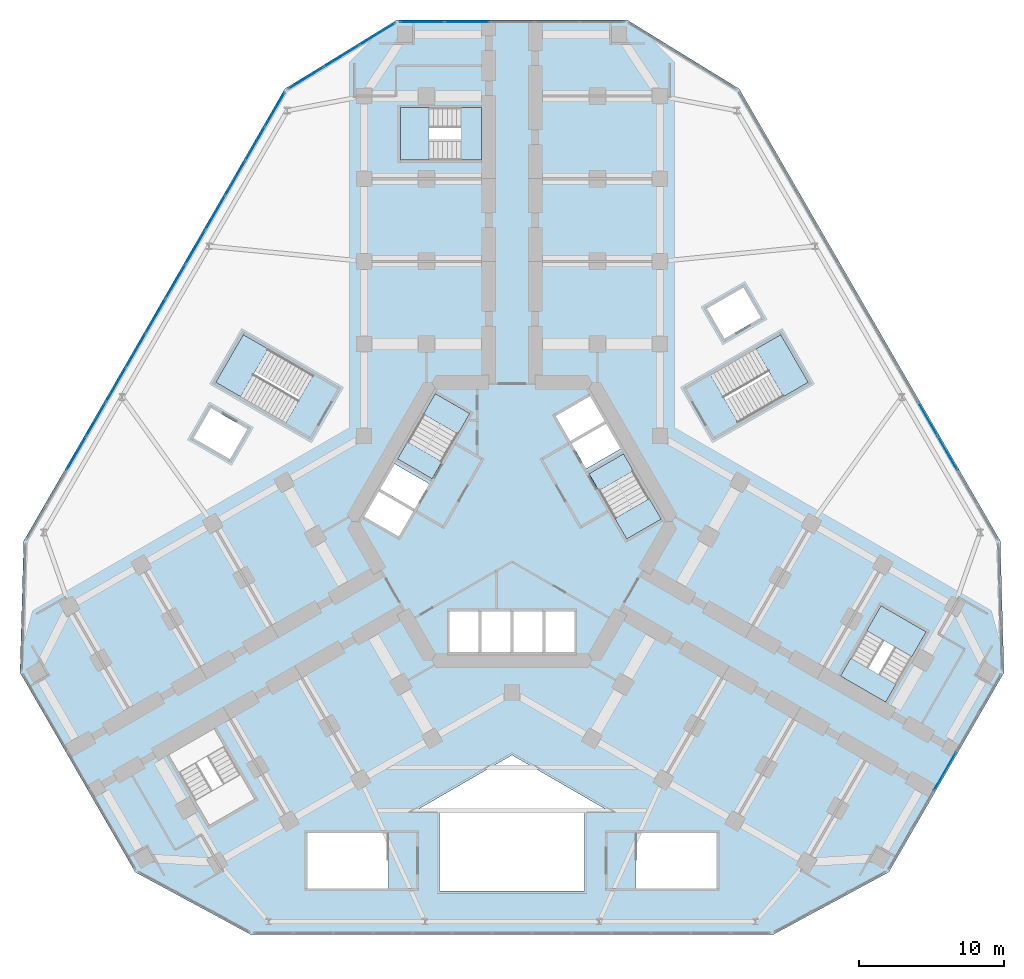
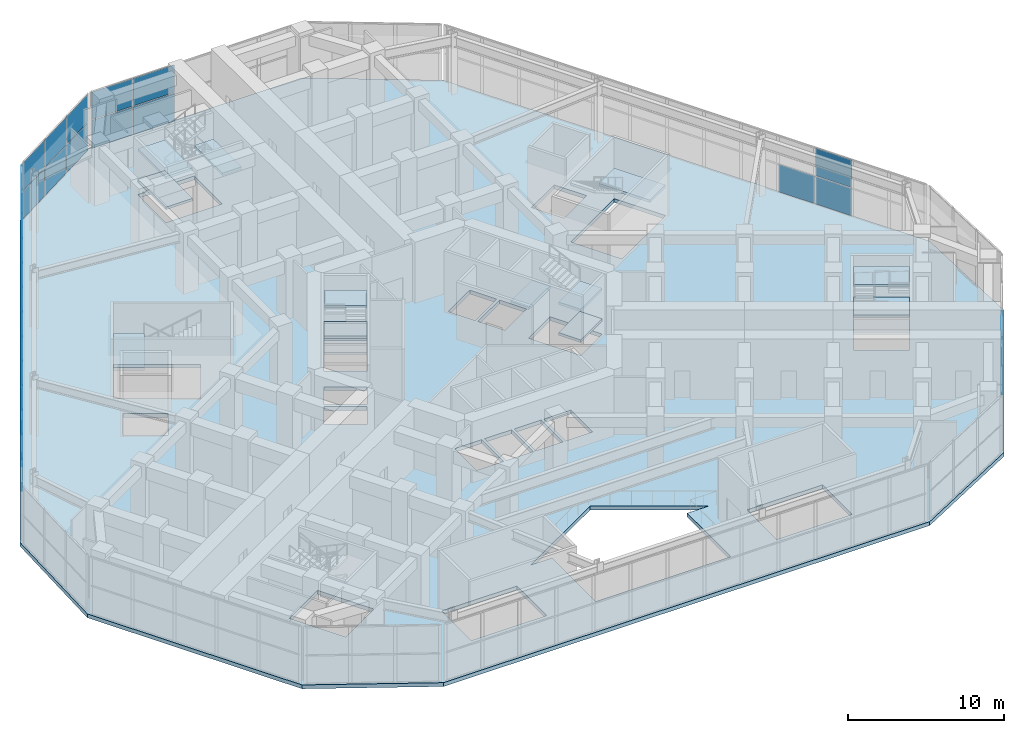
# One storey, part 13 of 22: 37 plates, 15 slabs, 11 elements without a shape of their own.
"""IFC4 building model written with IfcOpenShell, lengths in metres."""

from ifc_helpers import new_model, si_unit, direction, frame, origin, origin_2d, place, context, subcontext, project, spatial, polyline, rectangle, outline, extrude, material, layer, layer_set, type_object, element, aggregate, save


model = new_model("IFC4")

# Units and contexts
model_context = context("Model", 3, precision=1e-05, world=origin(), true_north=direction((0.0, 1.0)))
body_context = subcontext(model_context, "Body", "Model", "MODEL_VIEW")
ifc_project = project(units=[si_unit("LENGTHUNIT", "METRE"), si_unit("AREAUNIT", "SQUARE_METRE"), si_unit("VOLUMEUNIT", "CUBIC_METRE"), si_unit("PLANEANGLEUNIT", "RADIAN"), si_unit("MASSUNIT", "GRAM", prefix="KILO")], contexts=[model_context])

# Site, building, storey
site_placement = place(None, origin())
site = spatial("IfcSite", under=ifc_project, at=site_placement, CompositionType="ELEMENT")
building_placement = place(site_placement, origin())
building = spatial("IfcBuilding", under=site, at=building_placement, Name="Kosmar Iwan School Tower", CompositionType="ELEMENT")
storey_placement = place(building_placement, frame((0.0, 0.0, 15.60009765625)))
storey = spatial("IfcBuildingStorey", under=building, at=storey_placement, Name="L03", CompositionType="ELEMENT", Elevation=15.60009765625)

# Curtain wall, plates
ifc_material_1 = material(Name="Dark glass in black aluminium frame", Category="aluminium")
curtain_wall_type_1 = type_object("IfcCurtainWallType", Name="Tower curtain wall dark glass", PredefinedType="USERDEFINED", material=ifc_material_1)
curtain_wall_1_placement = place(storey_placement, origin())
curtain_wall_1 = element("IfcCurtainWall", 1, at=curtain_wall_1_placement, inside=storey, type_object=curtain_wall_type_1, Name="Curtain wall L03-F02", ObjectType="UNITISED CURTAIN WALL", PredefinedType="USERDEFINED")
ifc_material_2 = material(Name="Dark glass", Category="glass")
ifc_layer_1 = layer(ifc_material_2, 0.028076171875)
ifc_layer_set_1 = layer_set([ifc_layer_1], Name="Dark glass panel 28")
plate_type = type_object("IfcPlateType", Name="Dark glass panel 28", PredefinedType="CURTAIN_PANEL", material=ifc_layer_set_1)
plate_1_placement = place(storey_placement, frame((29.856201171875, -17.237548828125, 0.06005859375), z_axis=(0.0, 0.0, 1.0), x_axis=(0.500000014057, 0.866025395669, 0.0)))
plate_1 = element("IfcPlate", 2, at=plate_1_placement, type_object=plate_type, Name="CW1 panel 3.1", PredefinedType="CURTAIN_PANEL", context=body_context, shape_type="SweptSolid", body=[
    extrude(rectangle(XDim=3.040771484375, YDim=0.028076171875, at=origin_2d()), origin(), (0.0, 0.0, 1.0), 2.159912109375),
])
plate_2_placement = place(storey_placement, frame((29.856201171875, -17.237548828125, 2.27978515625), z_axis=(0.0, 0.0, 1.0), x_axis=(0.500000014057, 0.866025395669, 0.0)))
plate_2 = element("IfcPlate", 3, at=plate_2_placement, type_object=plate_type, Name="CW1 panel 3.2", PredefinedType="CURTAIN_PANEL", context=body_context, shape_type="SweptSolid", body=[
    extrude(rectangle(XDim=3.040771484375, YDim=0.028076171875, at=origin_2d()), origin(), (0.0, 0.0, 1.0), 2.159912109375),
])
aggregate(curtain_wall_1, [plate_1, plate_2])

ifc_material_3 = material(Name="Dark glass in black aluminium frame", Category="aluminium")
curtain_wall_type_2 = type_object("IfcCurtainWallType", Name="Podium curtain wall", PredefinedType="USERDEFINED", material=ifc_material_3)
curtain_wall_2_placement = place(storey_placement, origin())
curtain_wall_2 = element("IfcCurtainWall", 4, at=curtain_wall_2_placement, inside=storey, type_object=curtain_wall_type_2, Name="Curtain wall L03-F04", ObjectType="STICK CURTAIN WALL", PredefinedType="USERDEFINED")
plate_3_placement = place(storey_placement, frame((30.05615234375, 4.69140625, 0.06005859375), z_axis=(0.0, 0.0, 1.0), x_axis=(-0.50000002237, 0.866025390869, 0.0)))
plate_3 = element("IfcPlate", 5, at=plate_3_placement, type_object=plate_type, Name="CW3 panel 3.1", PredefinedType="CURTAIN_PANEL", context=body_context, shape_type="SweptSolid", body=[
    extrude(rectangle(XDim=2.67626953125, YDim=0.028076171875, at=origin_2d()), origin(), (0.0, 0.0, 1.0), 2.159912109375),
])
plate_4_placement = place(storey_placement, frame((30.05615234375, 4.69140625, 2.27978515625), z_axis=(0.0, 0.0, 1.0), x_axis=(-0.50000002237, 0.866025390869, 0.0)))
plate_4 = element("IfcPlate", 6, at=plate_4_placement, type_object=plate_type, Name="CW3 panel 3.2", PredefinedType="CURTAIN_PANEL", context=body_context, shape_type="SweptSolid", body=[
    extrude(rectangle(XDim=2.67626953125, YDim=0.028076171875, at=origin_2d()), origin(), (0.0, 0.0, 1.0), 2.159912109375),
])
plate_5_placement = place(storey_placement, frame((28.685302734375, 7.0654296875, 0.06005859375), z_axis=(0.0, 0.0, 1.0), x_axis=(-0.50000002237, 0.866025390869, 0.0)))
plate_5 = element("IfcPlate", 7, at=plate_5_placement, type_object=plate_type, Name="CW3 panel 4.1", PredefinedType="CURTAIN_PANEL", context=body_context, shape_type="SweptSolid", body=[
    extrude(rectangle(XDim=2.67626953125, YDim=0.028076171875, at=origin_2d()), origin(), (0.0, 0.0, 1.0), 2.159912109375),
])
aggregate(curtain_wall_2, [plate_3, plate_4, plate_5])

curtain_wall_3_placement = place(storey_placement, origin())
curtain_wall_3 = element("IfcCurtainWall", 8, at=curtain_wall_3_placement, inside=storey, type_object=curtain_wall_type_1, Name="Curtain wall L03-F06", ObjectType="UNITISED CURTAIN WALL", PredefinedType="USERDEFINED")
plate_6_placement = place(storey_placement, frame((-3.10595703125, 34.47509765625, 0.06005859375), z_axis=(0.0, 0.0, 1.0), x_axis=(-1.0, 0.0, 0.0)))
plate_6 = element("IfcPlate", 9, at=plate_6_placement, type_object=plate_type, Name="CW1 panel 4.1", PredefinedType="CURTAIN_PANEL", context=body_context, shape_type="SweptSolid", body=[
    extrude(rectangle(XDim=3.040771484375, YDim=0.028076171875, at=origin_2d()), origin(), (0.0, 0.0, 1.0), 2.159912109375),
])
plate_7_placement = place(storey_placement, frame((-3.10595703125, 34.47509765625, 2.27978515625), z_axis=(0.0, 0.0, 1.0), x_axis=(-1.0, 0.0, 0.0)))
plate_7 = element("IfcPlate", 10, at=plate_7_placement, type_object=plate_type, Name="CW1 panel 4.2", PredefinedType="CURTAIN_PANEL", context=body_context, shape_type="SweptSolid", body=[
    extrude(rectangle(XDim=3.040771484375, YDim=0.028076171875, at=origin_2d()), origin(), (0.0, 0.0, 1.0), 2.159912109375),
])
plate_8_placement = place(storey_placement, frame((-6.1953125, 34.47509765625, 0.06005859375), z_axis=(0.0, 0.0, 1.0), x_axis=(-1.0, 0.0, 0.0)))
plate_8 = element("IfcPlate", 11, at=plate_8_placement, type_object=plate_type, Name="CW1 panel 5.1", PredefinedType="CURTAIN_PANEL", context=body_context, shape_type="SweptSolid", body=[
    extrude(rectangle(XDim=3.00830078125, YDim=0.028076171875, at=origin_2d()), origin(), (0.0, 0.0, 1.0), 2.159912109375),
])
plate_9_placement = place(storey_placement, frame((-6.1953125, 34.47509765625, 2.27978515625), z_axis=(0.0, 0.0, 1.0), x_axis=(-1.0, 0.0, 0.0)))
plate_9 = element("IfcPlate", 12, at=plate_9_placement, type_object=plate_type, Name="CW1 panel 5.2", PredefinedType="CURTAIN_PANEL", context=body_context, shape_type="SweptSolid", body=[
    extrude(rectangle(XDim=3.00830078125, YDim=0.028076171875, at=origin_2d()), origin(), (0.0, 0.0, 1.0), 2.159912109375),
])
aggregate(curtain_wall_3, [plate_6, plate_7, plate_8, plate_9])

curtain_wall_4_placement = place(storey_placement, origin())
curtain_wall_4 = element("IfcCurtainWall", 13, at=curtain_wall_4_placement, inside=storey, type_object=curtain_wall_type_2, Name="Curtain wall L03-F07", ObjectType="STICK CURTAIN WALL", PredefinedType="USERDEFINED")
plate_10_placement = place(storey_placement, frame((-9.292724609375, 33.626220703125, 0.06005859375), z_axis=(0.0, 0.0, 1.0), x_axis=(-0.851483299186, -0.524381722801, 0.0)))
plate_10 = element("IfcPlate", 14, at=plate_10_placement, type_object=plate_type, Name="CW3 panel 1.1", PredefinedType="CURTAIN_PANEL", context=body_context, shape_type="SweptSolid", body=[
    extrude(rectangle(XDim=2.806884765625, YDim=0.028076171875, at=origin_2d()), origin(), (0.0, 0.0, 1.0), 2.159912109375),
])
plate_11_placement = place(storey_placement, frame((-9.292724609375, 33.626220703125, 2.27978515625), z_axis=(0.0, 0.0, 1.0), x_axis=(-0.851483299186, -0.524381722801, 0.0)))
plate_11 = element("IfcPlate", 15, at=plate_11_placement, type_object=plate_type, Name="CW3 panel 1.2", PredefinedType="CURTAIN_PANEL", context=body_context, shape_type="SweptSolid", body=[
    extrude(rectangle(XDim=2.806884765625, YDim=0.028076171875, at=origin_2d()), origin(), (0.0, 0.0, 1.0), 2.159912109375),
])
plate_12_placement = place(storey_placement, frame((-11.751953125, 32.11181640625, 0.06005859375), z_axis=(0.0, 0.0, 1.0), x_axis=(-0.851483299186, -0.524381722801, 0.0)))
plate_12 = element("IfcPlate", 16, at=plate_12_placement, type_object=plate_type, Name="CW3 panel 2.1", PredefinedType="CURTAIN_PANEL", context=body_context, shape_type="SweptSolid", body=[
    extrude(rectangle(XDim=2.83935546875, YDim=0.028076171875, at=origin_2d()), origin(), (0.0, 0.0, 1.0), 2.159912109375),
])
plate_13_placement = place(storey_placement, frame((-11.751953125, 32.11181640625, 2.27978515625), z_axis=(0.0, 0.0, 1.0), x_axis=(-0.851483299186, -0.524381722801, 0.0)))
plate_13 = element("IfcPlate", 17, at=plate_13_placement, type_object=plate_type, Name="CW3 panel 2.2", PredefinedType="CURTAIN_PANEL", context=body_context, shape_type="SweptSolid", body=[
    extrude(rectangle(XDim=2.83935546875, YDim=0.028076171875, at=origin_2d()), origin(), (0.0, 0.0, 1.0), 2.159912109375),
])
plate_14_placement = place(storey_placement, frame((-14.211181640625, 30.59716796875, 0.06005859375), z_axis=(0.0, 0.0, 1.0), x_axis=(-0.851483299186, -0.524381722801, 0.0)))
plate_14 = element("IfcPlate", 18, at=plate_14_placement, type_object=plate_type, Name="CW3 panel 3.1", PredefinedType="CURTAIN_PANEL", context=body_context, shape_type="SweptSolid", body=[
    extrude(rectangle(XDim=2.806884765625, YDim=0.028076171875, at=origin_2d()), origin(), (0.0, 0.0, 1.0), 2.159912109375),
])
plate_15_placement = place(storey_placement, frame((-14.211181640625, 30.59716796875, 2.27978515625), z_axis=(0.0, 0.0, 1.0), x_axis=(-0.851483299186, -0.524381722801, 0.0)))
plate_15 = element("IfcPlate", 19, at=plate_15_placement, type_object=plate_type, Name="CW3 panel 3.2", PredefinedType="CURTAIN_PANEL", context=body_context, shape_type="SweptSolid", body=[
    extrude(rectangle(XDim=2.806884765625, YDim=0.028076171875, at=origin_2d()), origin(), (0.0, 0.0, 1.0), 2.159912109375),
])
aggregate(curtain_wall_4, [plate_10, plate_11, plate_12, plate_13, plate_14, plate_15])

curtain_wall_5_placement = place(storey_placement, origin())
curtain_wall_5 = element("IfcCurtainWall", 20, at=curtain_wall_5_placement, inside=storey, type_object=curtain_wall_type_2, Name="Curtain wall L03-F08", ObjectType="STICK CURTAIN WALL", PredefinedType="USERDEFINED")
plate_16_placement = place(storey_placement, frame((-16.357666015625, 28.41748046875, 0.06005859375), z_axis=(0.0, 0.0, 1.0), x_axis=(-0.50000002237, -0.866025390869, 0.0)))
plate_16 = element("IfcPlate", 21, at=plate_16_placement, type_object=plate_type, Name="CW3 panel 1.1", PredefinedType="CURTAIN_PANEL", context=body_context, shape_type="SweptSolid", body=[
    extrude(rectangle(XDim=2.643798828125, YDim=0.028076171875, at=origin_2d()), origin(), (0.0, 0.0, 1.0), 2.159912109375),
])
plate_17_placement = place(storey_placement, frame((-16.357666015625, 28.41748046875, 2.27978515625), z_axis=(0.0, 0.0, 1.0), x_axis=(-0.50000002237, -0.866025390869, 0.0)))
plate_17 = element("IfcPlate", 22, at=plate_17_placement, type_object=plate_type, Name="CW3 panel 1.2", PredefinedType="CURTAIN_PANEL", context=body_context, shape_type="SweptSolid", body=[
    extrude(rectangle(XDim=2.643798828125, YDim=0.028076171875, at=origin_2d()), origin(), (0.0, 0.0, 1.0), 2.159912109375),
])
plate_18_placement = place(storey_placement, frame((-17.72021484375, 26.0576171875, 0.06005859375), z_axis=(0.0, 0.0, 1.0), x_axis=(-0.50000002237, -0.866025390869, 0.0)))
plate_18 = element("IfcPlate", 23, at=plate_18_placement, type_object=plate_type, Name="CW3 panel 2.1", PredefinedType="CURTAIN_PANEL", context=body_context, shape_type="SweptSolid", body=[
    extrude(rectangle(XDim=2.67626953125, YDim=0.028076171875, at=origin_2d()), origin(), (0.0, 0.0, 1.0), 2.159912109375),
])
plate_19_placement = place(storey_placement, frame((-17.72021484375, 26.0576171875, 2.27978515625), z_axis=(0.0, 0.0, 1.0), x_axis=(-0.50000002237, -0.866025390869, 0.0)))
plate_19 = element("IfcPlate", 24, at=plate_19_placement, type_object=plate_type, Name="CW3 panel 2.2", PredefinedType="CURTAIN_PANEL", context=body_context, shape_type="SweptSolid", body=[
    extrude(rectangle(XDim=2.67626953125, YDim=0.028076171875, at=origin_2d()), origin(), (0.0, 0.0, 1.0), 2.159912109375),
])
plate_20_placement = place(storey_placement, frame((-19.0908203125, 23.68359375, 0.06005859375), z_axis=(0.0, 0.0, 1.0), x_axis=(-0.50000002237, -0.866025390869, 0.0)))
plate_20 = element("IfcPlate", 25, at=plate_20_placement, type_object=plate_type, Name="CW3 panel 3.1", PredefinedType="CURTAIN_PANEL", context=body_context, shape_type="SweptSolid", body=[
    extrude(rectangle(XDim=2.67626953125, YDim=0.028076171875, at=origin_2d()), origin(), (0.0, 0.0, 1.0), 2.159912109375),
])
plate_21_placement = place(storey_placement, frame((-19.0908203125, 23.68359375, 2.27978515625), z_axis=(0.0, 0.0, 1.0), x_axis=(-0.50000002237, -0.866025390869, 0.0)))
plate_21 = element("IfcPlate", 26, at=plate_21_placement, type_object=plate_type, Name="CW3 panel 3.2", PredefinedType="CURTAIN_PANEL", context=body_context, shape_type="SweptSolid", body=[
    extrude(rectangle(XDim=2.67626953125, YDim=0.028076171875, at=origin_2d()), origin(), (0.0, 0.0, 1.0), 2.159912109375),
])
plate_22_placement = place(storey_placement, frame((-20.46142578125, 21.3095703125, 0.06005859375), z_axis=(0.0, 0.0, 1.0), x_axis=(-0.50000002237, -0.866025390869, 0.0)))
plate_22 = element("IfcPlate", 27, at=plate_22_placement, type_object=plate_type, Name="CW3 panel 4.1", PredefinedType="CURTAIN_PANEL", context=body_context, shape_type="SweptSolid", body=[
    extrude(rectangle(XDim=2.67626953125, YDim=0.028076171875, at=origin_2d()), origin(), (0.0, 0.0, 1.0), 2.159912109375),
])
plate_23_placement = place(storey_placement, frame((-20.46142578125, 21.3095703125, 2.27978515625), z_axis=(0.0, 0.0, 1.0), x_axis=(-0.50000002237, -0.866025390869, 0.0)))
plate_23 = element("IfcPlate", 28, at=plate_23_placement, type_object=plate_type, Name="CW3 panel 4.2", PredefinedType="CURTAIN_PANEL", context=body_context, shape_type="SweptSolid", body=[
    extrude(rectangle(XDim=2.67626953125, YDim=0.028076171875, at=origin_2d()), origin(), (0.0, 0.0, 1.0), 2.159912109375),
])
plate_24_placement = place(storey_placement, frame((-21.832275390625, 18.935546875, 0.06005859375), z_axis=(0.0, 0.0, 1.0), x_axis=(-0.50000002237, -0.866025390869, 0.0)))
plate_24 = element("IfcPlate", 29, at=plate_24_placement, type_object=plate_type, Name="CW3 panel 5.1", PredefinedType="CURTAIN_PANEL", context=body_context, shape_type="SweptSolid", body=[
    extrude(rectangle(XDim=2.67626953125, YDim=0.028076171875, at=origin_2d()), origin(), (0.0, 0.0, 1.0), 2.159912109375),
])
plate_25_placement = place(storey_placement, frame((-21.832275390625, 18.935546875, 2.27978515625), z_axis=(0.0, 0.0, 1.0), x_axis=(-0.50000002237, -0.866025390869, 0.0)))
plate_25 = element("IfcPlate", 30, at=plate_25_placement, type_object=plate_type, Name="CW3 panel 5.2", PredefinedType="CURTAIN_PANEL", context=body_context, shape_type="SweptSolid", body=[
    extrude(rectangle(XDim=2.67626953125, YDim=0.028076171875, at=origin_2d()), origin(), (0.0, 0.0, 1.0), 2.159912109375),
])
plate_26_placement = place(storey_placement, frame((-23.202880859375, 16.5615234375, 0.06005859375), z_axis=(0.0, 0.0, 1.0), x_axis=(-0.50000002237, -0.866025390869, 0.0)))
plate_26 = element("IfcPlate", 31, at=plate_26_placement, type_object=plate_type, Name="CW3 panel 6.1", PredefinedType="CURTAIN_PANEL", context=body_context, shape_type="SweptSolid", body=[
    extrude(rectangle(XDim=2.67626953125, YDim=0.028076171875, at=origin_2d()), origin(), (0.0, 0.0, 1.0), 2.159912109375),
])
plate_27_placement = place(storey_placement, frame((-23.202880859375, 16.5615234375, 2.27978515625), z_axis=(0.0, 0.0, 1.0), x_axis=(-0.50000002237, -0.866025390869, 0.0)))
plate_27 = element("IfcPlate", 32, at=plate_27_placement, type_object=plate_type, Name="CW3 panel 6.2", PredefinedType="CURTAIN_PANEL", context=body_context, shape_type="SweptSolid", body=[
    extrude(rectangle(XDim=2.67626953125, YDim=0.028076171875, at=origin_2d()), origin(), (0.0, 0.0, 1.0), 2.159912109375),
])
plate_28_placement = place(storey_placement, frame((-24.573486328125, 14.1875, 0.06005859375), z_axis=(0.0, 0.0, 1.0), x_axis=(-0.50000002237, -0.866025390869, 0.0)))
plate_28 = element("IfcPlate", 33, at=plate_28_placement, type_object=plate_type, Name="CW3 panel 7.1", PredefinedType="CURTAIN_PANEL", context=body_context, shape_type="SweptSolid", body=[
    extrude(rectangle(XDim=2.67626953125, YDim=0.028076171875, at=origin_2d()), origin(), (0.0, 0.0, 1.0), 2.159912109375),
])
plate_29_placement = place(storey_placement, frame((-24.573486328125, 14.1875, 2.27978515625), z_axis=(0.0, 0.0, 1.0), x_axis=(-0.50000002237, -0.866025390869, 0.0)))
plate_29 = element("IfcPlate", 34, at=plate_29_placement, type_object=plate_type, Name="CW3 panel 7.2", PredefinedType="CURTAIN_PANEL", context=body_context, shape_type="SweptSolid", body=[
    extrude(rectangle(XDim=2.67626953125, YDim=0.028076171875, at=origin_2d()), origin(), (0.0, 0.0, 1.0), 2.159912109375),
])
plate_30_placement = place(storey_placement, frame((-25.944091796875, 11.8134765625, 0.06005859375), z_axis=(0.0, 0.0, 1.0), x_axis=(-0.50000002237, -0.866025390869, 0.0)))
plate_30 = element("IfcPlate", 35, at=plate_30_placement, type_object=plate_type, Name="CW3 panel 8.1", PredefinedType="CURTAIN_PANEL", context=body_context, shape_type="SweptSolid", body=[
    extrude(rectangle(XDim=2.67626953125, YDim=0.028076171875, at=origin_2d()), origin(), (0.0, 0.0, 1.0), 2.159912109375),
])
plate_31_placement = place(storey_placement, frame((-25.944091796875, 11.8134765625, 2.27978515625), z_axis=(0.0, 0.0, 1.0), x_axis=(-0.50000002237, -0.866025390869, 0.0)))
plate_31 = element("IfcPlate", 36, at=plate_31_placement, type_object=plate_type, Name="CW3 panel 8.2", PredefinedType="CURTAIN_PANEL", context=body_context, shape_type="SweptSolid", body=[
    extrude(rectangle(XDim=2.67626953125, YDim=0.028076171875, at=origin_2d()), origin(), (0.0, 0.0, 1.0), 2.159912109375),
])
plate_32_placement = place(storey_placement, frame((-27.314697265625, 9.439453125, 0.06005859375), z_axis=(0.0, 0.0, 1.0), x_axis=(-0.50000002237, -0.866025390869, 0.0)))
plate_32 = element("IfcPlate", 37, at=plate_32_placement, type_object=plate_type, Name="CW3 panel 9.1", PredefinedType="CURTAIN_PANEL", context=body_context, shape_type="SweptSolid", body=[
    extrude(rectangle(XDim=2.67626953125, YDim=0.028076171875, at=origin_2d()), origin(), (0.0, 0.0, 1.0), 2.159912109375),
])
plate_33_placement = place(storey_placement, frame((-27.314697265625, 9.439453125, 2.27978515625), z_axis=(0.0, 0.0, 1.0), x_axis=(-0.50000002237, -0.866025390869, 0.0)))
plate_33 = element("IfcPlate", 38, at=plate_33_placement, type_object=plate_type, Name="CW3 panel 9.2", PredefinedType="CURTAIN_PANEL", context=body_context, shape_type="SweptSolid", body=[
    extrude(rectangle(XDim=2.67626953125, YDim=0.028076171875, at=origin_2d()), origin(), (0.0, 0.0, 1.0), 2.159912109375),
])
plate_34_placement = place(storey_placement, frame((-28.685302734375, 7.0654296875, 0.06005859375), z_axis=(0.0, 0.0, 1.0), x_axis=(-0.50000002237, -0.866025390869, 0.0)))
plate_34 = element("IfcPlate", 39, at=plate_34_placement, type_object=plate_type, Name="CW3 panel 10.1", PredefinedType="CURTAIN_PANEL", context=body_context, shape_type="SweptSolid", body=[
    extrude(rectangle(XDim=2.67626953125, YDim=0.028076171875, at=origin_2d()), origin(), (0.0, 0.0, 1.0), 2.159912109375),
])
plate_35_placement = place(storey_placement, frame((-28.685302734375, 7.0654296875, 2.27978515625), z_axis=(0.0, 0.0, 1.0), x_axis=(-0.50000002237, -0.866025390869, 0.0)))
plate_35 = element("IfcPlate", 40, at=plate_35_placement, type_object=plate_type, Name="CW3 panel 10.2", PredefinedType="CURTAIN_PANEL", context=body_context, shape_type="SweptSolid", body=[
    extrude(rectangle(XDim=2.67626953125, YDim=0.028076171875, at=origin_2d()), origin(), (0.0, 0.0, 1.0), 2.159912109375),
])
plate_36_placement = place(storey_placement, frame((-30.05615234375, 4.69140625, 0.06005859375), z_axis=(0.0, 0.0, 1.0), x_axis=(-0.50000002237, -0.866025390869, 0.0)))
plate_36 = element("IfcPlate", 41, at=plate_36_placement, type_object=plate_type, Name="CW3 panel 11.1", PredefinedType="CURTAIN_PANEL", context=body_context, shape_type="SweptSolid", body=[
    extrude(rectangle(XDim=2.67626953125, YDim=0.028076171875, at=origin_2d()), origin(), (0.0, 0.0, 1.0), 2.159912109375),
])
plate_37_placement = place(storey_placement, frame((-30.05615234375, 4.69140625, 2.27978515625), z_axis=(0.0, 0.0, 1.0), x_axis=(-0.50000002237, -0.866025390869, 0.0)))
plate_37 = element("IfcPlate", 42, at=plate_37_placement, type_object=plate_type, Name="CW3 panel 11.2", PredefinedType="CURTAIN_PANEL", context=body_context, shape_type="SweptSolid", body=[
    extrude(rectangle(XDim=2.67626953125, YDim=0.028076171875, at=origin_2d()), origin(), (0.0, 0.0, 1.0), 2.159912109375),
])
aggregate(curtain_wall_5, [plate_16, plate_17, plate_18, plate_19, plate_20, plate_21, plate_22, plate_23, plate_24, plate_25, plate_26, plate_27, plate_28, plate_29, plate_30, plate_31, plate_32, plate_33, plate_34, plate_35, plate_36, plate_37])

# Stair, slabs
ifc_material_4 = material(Name="Concrete C35/45", Category="concrete")
stair_type_1 = type_object("IfcStairType", Name="Escape stair 3600", PredefinedType="HALF_TURN_STAIR", material=ifc_material_4)
stair_1_placement = place(storey_placement, origin())
stair_1 = element("IfcStair", 43, at=stair_1_placement, inside=storey, type_object=stair_type_1, Name="Stair WS1 L03", PredefinedType="HALF_TURN_STAIR")
ifc_material_5 = material(Name="Concrete C35/45", Category="concrete")
ifc_layer_2 = layer(ifc_material_5, 0.199951171875)
ifc_layer_set_2 = layer_set([ifc_layer_2], Name="Escape stair landing 200")
slab_type_1 = type_object("IfcSlabType", Name="Escape stair landing 200", PredefinedType="LANDING", material=ifc_layer_set_2)
slab_1_placement = place(storey_placement, frame((0.0, 0.0, 1.0)))
slab_1 = element("IfcSlab", 44, at=slab_1_placement, type_object=slab_type_1, Name="WS1 landing 1", PredefinedType="LANDING", context=body_context, shape_type="SweptSolid", body=[
    extrude(outline(polyline([(-5.719970703125, 24.949951171875), (-5.719970703125, 28.550048828125), (-7.699951171875, 28.550048828125), (-7.699951171875, 24.949951171875), (-5.719970703125, 24.949951171875)])), origin(), (0.0, 0.0, 1.0), 0.199951171875),
])
slab_2_placement = place(storey_placement, frame((0.0, 0.0, 2.199951171875)))
slab_2 = element("IfcSlab", 45, at=slab_2_placement, type_object=slab_type_1, Name="WS1 landing 2", PredefinedType="LANDING", context=body_context, shape_type="SweptSolid", body=[
    extrude(outline(polyline([(-2.10009765625, 24.949951171875), (-2.10009765625, 28.550048828125), (-3.52001953125, 28.550048828125), (-3.52001953125, 24.949951171875), (-2.10009765625, 24.949951171875)])), origin(), (0.0, 0.0, 1.0), 0.199951171875),
])
slab_3_placement = place(storey_placement, frame((0.0, 0.0, 3.39990234375)))
slab_3 = element("IfcSlab", 46, at=slab_3_placement, type_object=slab_type_1, Name="WS1 landing 3", PredefinedType="LANDING", context=body_context, shape_type="SweptSolid", body=[
    extrude(outline(polyline([(-5.719970703125, 24.949951171875), (-5.719970703125, 28.550048828125), (-7.699951171875, 28.550048828125), (-7.699951171875, 24.949951171875), (-5.719970703125, 24.949951171875)])), origin(), (0.0, 0.0, 1.0), 0.199951171875),
])
aggregate(stair_1, [slab_1, slab_2, slab_3])

stair_2_placement = place(storey_placement, origin())
stair_2 = element("IfcStair", 47, at=stair_2_placement, inside=storey, type_object=stair_type_1, Name="Stair WS3 L03", PredefinedType="HALF_TURN_STAIR")
slab_4_placement = place(storey_placement, frame((0.0, 0.0, 1.0)))
slab_4 = element("IfcSlab", 48, at=slab_4_placement, type_object=slab_type_1, Name="WS3 landing 1", PredefinedType="LANDING", context=body_context, shape_type="SweptSolid", body=[
    extrude(outline(polyline([(24.46728515625, -7.521240234375), (27.5849609375, -9.3212890625), (28.574951171875, -7.606689453125), (25.457275390625, -5.806640625), (24.46728515625, -7.521240234375)])), origin(), (0.0, 0.0, 1.0), 0.199951171875),
])
slab_5_placement = place(storey_placement, frame((0.0, 0.0, 2.199951171875)))
slab_5 = element("IfcSlab", 49, at=slab_5_placement, type_object=slab_type_1, Name="WS3 landing 2", PredefinedType="LANDING", context=body_context, shape_type="SweptSolid", body=[
    extrude(outline(polyline([(22.6572265625, -10.65625), (25.775146484375, -12.456298828125), (26.485107421875, -11.2265625), (23.367431640625, -9.426513671875), (22.6572265625, -10.65625)])), origin(), (0.0, 0.0, 1.0), 0.199951171875),
])
slab_6_placement = place(storey_placement, frame((0.0, 0.0, 3.39990234375)))
slab_6 = element("IfcSlab", 50, at=slab_6_placement, type_object=slab_type_1, Name="WS3 landing 3", PredefinedType="LANDING", context=body_context, shape_type="SweptSolid", body=[
    extrude(outline(polyline([(24.46728515625, -7.521240234375), (27.5849609375, -9.3212890625), (28.574951171875, -7.606689453125), (25.457275390625, -5.806640625), (24.46728515625, -7.521240234375)])), origin(), (0.0, 0.0, 1.0), 0.199951171875),
])
aggregate(stair_2, [slab_4, slab_5, slab_6])

# Slab
ifc_material_6 = material(Name="Concrete C35/45", Category="concrete")
ifc_layer_3 = layer(ifc_material_6, 0.300048828125)
ifc_layer_set_3 = layer_set([ifc_layer_3], Name="School floor slab 300")
slab_type_2 = type_object("IfcSlabType", Name="School floor slab 300", PredefinedType="FLOOR", material=ifc_layer_set_3)
slab_7_placement = place(storey_placement, frame((0.0, 0.0, -0.300048828125)))
element("IfcSlab", 51, at=slab_7_placement, inside=storey, type_object=slab_type_2, Name="L03 floor slab", PredefinedType="FLOOR", context=body_context, shape_type="SweptSolid", body=[
    extrude(outline(polyline([(-18.0, -28.5), (18.0, -28.5), (25.989501953125, -24.184814453125), (33.939453125, -10.4150390625), (33.681640625, -1.33837890625), (15.681640625, 29.83837890625), (7.949951171875, 34.60009765625), (-7.949951171875, 34.60009765625), (-15.681640625, 29.83837890625), (-33.681640625, -1.33837890625), (-33.939453125, -10.4150390625), (-25.989501953125, -24.184814453125), (-18.0, -28.5)]), holes=[polyline([(7.91259765625, -1.205078125), (10.294189453125, 0.169921875), (8.3642578125, 3.5126953125), (5.982666015625, 2.1376953125), (7.91259765625, -1.205078125)]), polyline([(-2.91259765625, 7.455078125), (-5.294189453125, 8.830078125), (-7.22412109375, 5.4873046875), (-4.8427734375, 4.1123046875), (-2.91259765625, 7.455078125)]), polyline([(-5.712646484375, 2.60546875), (-8.09423828125, 3.98046875), (-9.09423828125, 2.248291015625), (-6.712646484375, 0.873291015625), (-5.712646484375, 2.60546875)]), polyline([(-6.812744140625, 0.7001953125), (-9.1943359375, 2.0751953125), (-10.1943359375, 0.343017578125), (-7.812744140625, -1.031982421875), (-6.812744140625, 0.7001953125)]), polyline([(5.112548828125, 3.64453125), (7.494140625, 5.01953125), (6.494140625, 6.751708984375), (4.112548828125, 5.376708984375), (5.112548828125, 3.64453125)]), polyline([(4.0126953125, 5.5498046875), (6.394287109375, 6.9248046875), (5.394287109375, 8.656982421875), (3.0126953125, 7.281982421875), (4.0126953125, 5.5498046875)]), polyline([(-4.300048828125, -6.199951171875), (-4.300048828125, -9.0), (-2.300048828125, -9.0), (-2.300048828125, -6.199951171875), (-4.300048828125, -6.199951171875)]), polyline([(-2.10009765625, -6.199951171875), (-2.10009765625, -9.0), (-0.10009765625, -9.0), (-0.10009765625, -6.199951171875), (-2.10009765625, -6.199951171875)]), polyline([(0.10009765625, -6.199951171875), (0.10009765625, -9.0), (2.10009765625, -9.0), (2.10009765625, -6.199951171875), (0.10009765625, -6.199951171875)]), polyline([(2.300048828125, -6.199951171875), (2.300048828125, -9.0), (4.300048828125, -9.0), (4.300048828125, -6.199951171875), (2.300048828125, -6.199951171875)]), polyline([(-3.52001953125, 24.949951171875), (-3.52001953125, 28.550048828125), (-7.699951171875, 28.550048828125), (-7.699951171875, 24.949951171875), (-3.52001953125, 24.949951171875)]), polyline([(-19.847412109375, -15.5234375), (-22.965087890625, -17.323486328125), (-20.875, -20.943359375), (-17.75732421875, -19.143310546875), (-19.847412109375, -15.5234375)]), polyline([(23.367431640625, -9.426513671875), (26.485107421875, -11.2265625), (28.574951171875, -7.606689453125), (25.457275390625, -5.806640625), (23.367431640625, -9.426513671875)]), polyline([(6.56787109375, -19.89990234375), (5.0, -19.89990234375), (5.0, -25.5), (-5.0, -25.5), (-5.0, -19.89990234375), (-6.56787109375, -19.89990234375), (0.0, -16.108154296875), (6.56787109375, -19.89990234375)]), polyline([(-14.10009765625, -21.5), (-14.10009765625, -25.300048828125), (-8.52001953125, -25.300048828125), (-8.52001953125, -21.5), (-14.10009765625, -21.5)]), polyline([(8.52001953125, -21.5), (8.52001953125, -25.300048828125), (14.10009765625, -25.300048828125), (14.10009765625, -21.5), (8.52001953125, -21.5)]), polyline([(15.603271484375, 6.814453125), (20.435546875, 9.6044921875), (18.53564453125, 12.8955078125), (13.703125, 10.10546875), (15.603271484375, 6.814453125)]), polyline([(-13.703125, 10.10546875), (-18.53564453125, 12.8955078125), (-20.435546875, 9.6044921875), (-15.603271484375, 6.814453125), (-13.703125, 10.10546875)]), polyline([(14.654541015625, 12.61767578125), (17.166015625, 14.067626953125), (15.966064453125, 16.146240234375), (13.45458984375, 14.696044921875), (14.654541015625, 12.61767578125)]), polyline([(-18.25439453125, 6.38232421875), (-20.765869140625, 7.832275390625), (-21.966064453125, 5.75390625), (-19.45458984375, 4.303955078125), (-18.25439453125, 6.38232421875)])]), origin(), (0.0, 0.0, 1.0), 0.300048828125),
])

# Stair, slabs
ifc_material_7 = material(Name="Concrete C35/45", Category="concrete")
stair_type_2 = type_object("IfcStairType", Name="Core stair 2750", PredefinedType="HALF_TURN_STAIR", material=ifc_material_7)
stair_3_placement = place(storey_placement, origin())
stair_3 = element("IfcStair", 52, at=stair_3_placement, inside=storey, type_object=stair_type_2, Name="Stair ST2 L03", PredefinedType="HALF_TURN_STAIR")
ifc_material_8 = material(Name="Concrete C35/45", Category="concrete")
ifc_layer_4 = layer(ifc_material_8, 0.199951171875)
ifc_layer_set_4 = layer_set([ifc_layer_4], Name="Stair landing 200")
slab_type_3 = type_object("IfcSlabType", Name="Stair landing 200", PredefinedType="LANDING", material=ifc_layer_set_4)
slab_8_placement = place(storey_placement, frame((0.0, 0.0, 1.0)))
slab_8 = element("IfcSlab", 53, at=slab_8_placement, type_object=slab_type_3, Name="ST2 landing 1", PredefinedType="LANDING", context=body_context, shape_type="SweptSolid", body=[
    extrude(outline(polyline([(-2.91259765625, 7.455078125), (-5.294189453125, 8.830078125), (-6.1142578125, 7.409912109375), (-3.732666015625, 6.034912109375), (-2.91259765625, 7.455078125)])), origin(), (0.0, 0.0, 1.0), 0.199951171875),
])
slab_9_placement = place(storey_placement, frame((0.0, 0.0, 2.199951171875)))
slab_9 = element("IfcSlab", 54, at=slab_9_placement, type_object=slab_type_3, Name="ST2 landing 2", PredefinedType="LANDING", context=body_context, shape_type="SweptSolid", body=[
    extrude(outline(polyline([(-4.832763671875, 4.129638671875), (-7.214111328125, 5.504638671875), (-7.894287109375, 4.326904296875), (-5.5126953125, 2.951904296875), (-4.832763671875, 4.129638671875)])), origin(), (0.0, 0.0, 1.0), 0.199951171875),
])
slab_10_placement = place(storey_placement, frame((0.0, 0.0, 3.39990234375)))
slab_10 = element("IfcSlab", 55, at=slab_10_placement, type_object=slab_type_3, Name="ST2 landing 3", PredefinedType="LANDING", context=body_context, shape_type="SweptSolid", body=[
    extrude(outline(polyline([(-2.91259765625, 7.455078125), (-5.294189453125, 8.830078125), (-6.1142578125, 7.409912109375), (-3.732666015625, 6.034912109375), (-2.91259765625, 7.455078125)])), origin(), (0.0, 0.0, 1.0), 0.199951171875),
])
aggregate(stair_3, [slab_8, slab_9, slab_10])

stair_4_placement = place(storey_placement, origin())
stair_4 = element("IfcStair", 56, at=stair_4_placement, inside=storey, type_object=stair_type_2, Name="Stair ST1 L03", PredefinedType="HALF_TURN_STAIR")
slab_11_placement = place(storey_placement, frame((0.0, 0.0, 1.0)))
slab_11 = element("IfcSlab", 57, at=slab_11_placement, type_object=slab_type_3, Name="ST1 landing 1", PredefinedType="LANDING", context=body_context, shape_type="SweptSolid", body=[
    extrude(outline(polyline([(7.91259765625, -1.205078125), (10.294189453125, 0.169921875), (9.47412109375, 1.590087890625), (7.0927734375, 0.215087890625), (7.91259765625, -1.205078125)])), origin(), (0.0, 0.0, 1.0), 0.199951171875),
])
slab_12_placement = place(storey_placement, frame((0.0, 0.0, 2.199951171875)))
slab_12 = element("IfcSlab", 58, at=slab_12_placement, type_object=slab_type_3, Name="ST1 landing 2", PredefinedType="LANDING", context=body_context, shape_type="SweptSolid", body=[
    extrude(outline(polyline([(5.99267578125, 2.120361328125), (8.374267578125, 3.495361328125), (7.6943359375, 4.673095703125), (5.312744140625, 3.298095703125), (5.99267578125, 2.120361328125)])), origin(), (0.0, 0.0, 1.0), 0.199951171875),
])
slab_13_placement = place(storey_placement, frame((0.0, 0.0, 3.39990234375)))
slab_13 = element("IfcSlab", 59, at=slab_13_placement, type_object=slab_type_3, Name="ST1 landing 3", PredefinedType="LANDING", context=body_context, shape_type="SweptSolid", body=[
    extrude(outline(polyline([(7.91259765625, -1.205078125), (10.294189453125, 0.169921875), (9.47412109375, 1.590087890625), (7.0927734375, 0.215087890625), (7.91259765625, -1.205078125)])), origin(), (0.0, 0.0, 1.0), 0.199951171875),
])
aggregate(stair_4, [slab_11, slab_12, slab_13])

# Stair, slab
ifc_material_9 = material(Name="Concrete C35/45", Category="concrete")
stair_type_3 = type_object("IfcStairType", Name="School stair 3800", PredefinedType="HALF_TURN_STAIR", material=ifc_material_9)
stair_5_placement = place(storey_placement, origin())
stair_5 = element("IfcStair", 60, at=stair_5_placement, inside=storey, type_object=stair_type_3, Name="School stair SS3 L03", PredefinedType="HALF_TURN_STAIR")
slab_14_placement = place(storey_placement, frame((0.0, 0.0, 2.199951171875)))
slab_14 = element("IfcSlab", 61, at=slab_14_placement, type_object=slab_type_3, Name="SS3 landing 1", PredefinedType="LANDING", context=body_context, shape_type="SweptSolid", body=[
    extrude(outline(polyline([(18.720947265625, 8.614501953125), (20.435546875, 9.6044921875), (18.53564453125, 12.8955078125), (16.82080078125, 11.905517578125), (18.720947265625, 8.614501953125)])), origin(), (0.0, 0.0, 1.0), 0.199951171875),
])
aggregate(stair_5, [slab_14])

stair_6_placement = place(storey_placement, origin())
stair_6 = element("IfcStair", 62, at=stair_6_placement, inside=storey, type_object=stair_type_3, Name="School stair SS4 L03", PredefinedType="HALF_TURN_STAIR")
slab_15_placement = place(storey_placement, frame((0.0, 0.0, 2.199951171875)))
slab_15 = element("IfcSlab", 63, at=slab_15_placement, type_object=slab_type_3, Name="SS4 landing 1", PredefinedType="LANDING", context=body_context, shape_type="SweptSolid", body=[
    extrude(outline(polyline([(-16.82080078125, 11.905517578125), (-18.53564453125, 12.8955078125), (-20.435546875, 9.6044921875), (-18.720947265625, 8.614501953125), (-16.82080078125, 11.905517578125)])), origin(), (0.0, 0.0, 1.0), 0.199951171875),
])
aggregate(stair_6, [slab_15])

save(model, "model.ifc")
